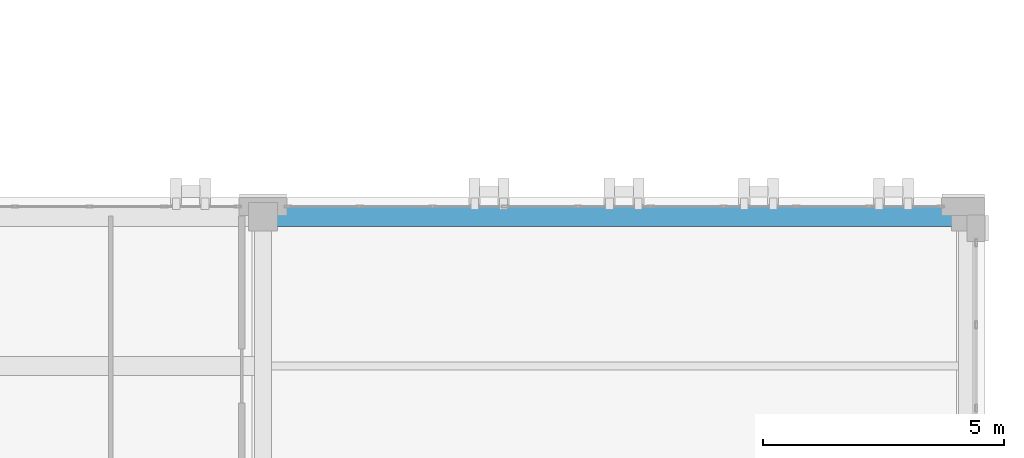
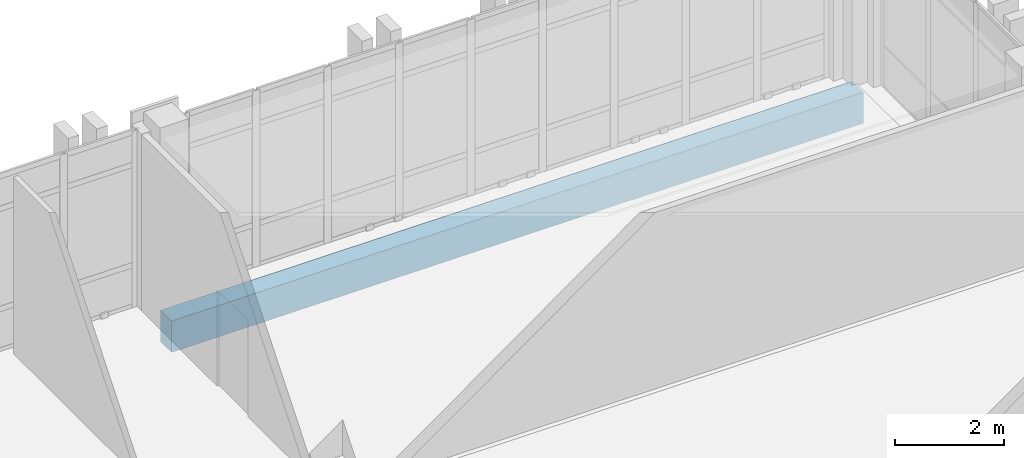
# One storey, part 44 of 77: 1 beam.
"""IFC4 building model written with IfcOpenShell, lengths in metres."""

from ifc_helpers import new_model, si_unit, direction, frame, origin, origin_2d, place, context, subcontext, project, spatial, rectangle, extrude, material, material_profile, profile_set, type_object, element, save


model = new_model("IFC4")

# Units and contexts
model_context = context("Model", 3, precision=1e-05, world=origin(), true_north=direction((0.0, 1.0)))
body_context = subcontext(model_context, "Body", "Model", "MODEL_VIEW")
ifc_project = project(units=[si_unit("LENGTHUNIT", "METRE"), si_unit("AREAUNIT", "SQUARE_METRE"), si_unit("VOLUMEUNIT", "CUBIC_METRE"), si_unit("PLANEANGLEUNIT", "RADIAN"), si_unit("MASSUNIT", "GRAM", prefix="KILO")], contexts=[model_context])

# Site, building, storey
site_placement = place(None, origin())
site = spatial("IfcSite", under=ifc_project, at=site_placement, CompositionType="ELEMENT")
building_placement = place(site_placement, origin())
building = spatial("IfcBuilding", under=site, at=building_placement, Name="Qalavern Law Courts", CompositionType="ELEMENT")
storey_placement = place(building_placement, frame((0.0, 0.0, 27.0)))
storey = spatial("IfcBuildingStorey", under=building, at=storey_placement, Name="L06", CompositionType="ELEMENT", Elevation=27.0)

# Beam
ifc_material = material(Name="Concrete C40/50", Category="concrete")
ifc_material_profile = material_profile(ifc_material, rectangle(XDim=0.39990234375, YDim=0.699951171875, at=origin_2d()), Name="RC 400x700")
ifc_profile_set = profile_set([ifc_material_profile], Name="Concrete C40/50")
beam_type = type_object("IfcBeamType", Name="STR-SP-RC400x700", PredefinedType="SPANDREL", material=ifc_profile_set)
beam_placement = place(storey_placement, frame((91.800048828125, 85.39990234375, -0.6201171875), z_axis=(1.0, 0.0, 0.0), x_axis=(0.0, 1.0, 0.0)))
element("IfcBeam", 1, at=beam_placement, inside=storey, type_object=beam_type, Name="V4 X-beam 7-2 L06", PredefinedType="SPANDREL", context=body_context, shape_type="SweptSolid", body=[
    extrude(rectangle(XDim=0.39990234375, YDim=0.699951171875, at=origin_2d()), origin(), (0.0, 0.0, 1.0), 14.599853515625),
])

save(model, "model.ifc")
